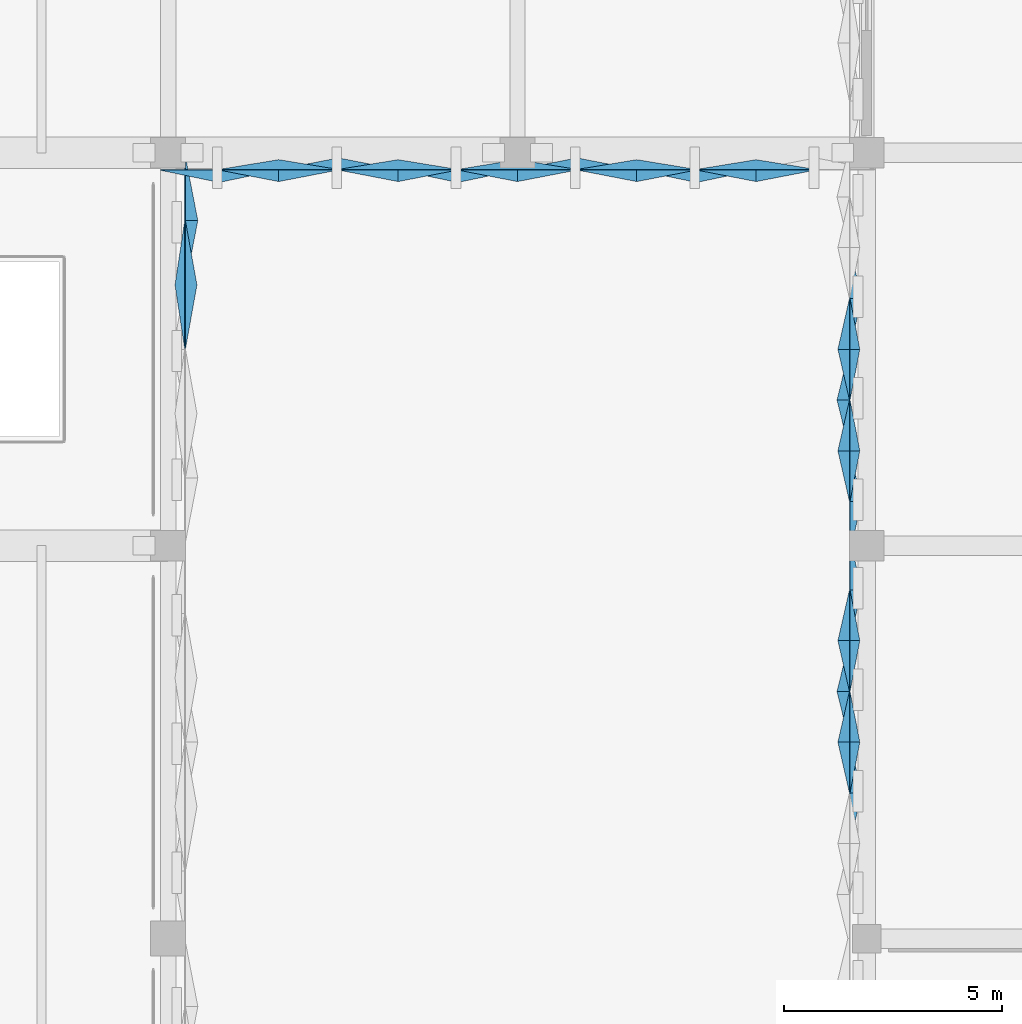
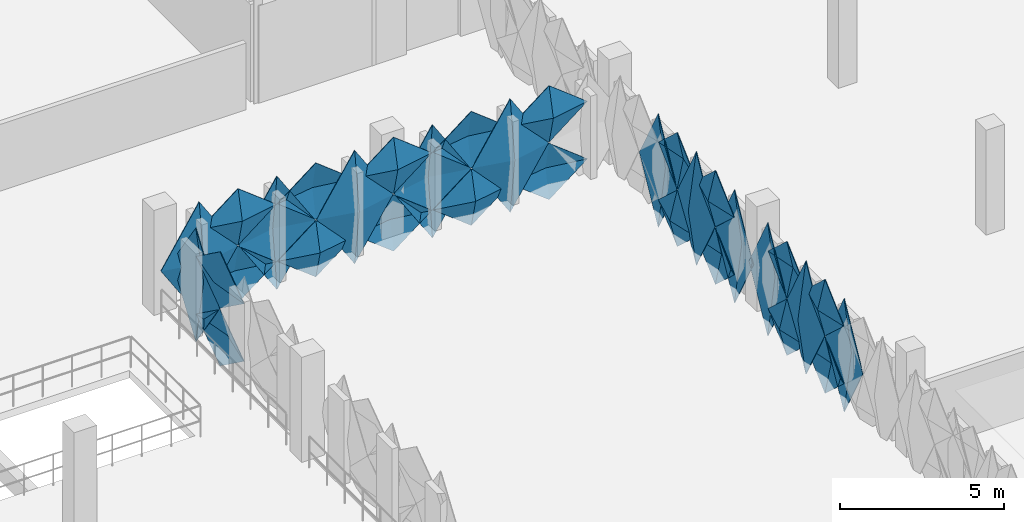
# One storey, part 75 of 96: 32 plates.
"""IFC4 building model written with IfcOpenShell, lengths in metres."""

from ifc_helpers import new_model, si_unit, derived_unit, direction, frame, origin, place, context, subcontext, project, spatial, polygons, material, layer, layer_set, type_object, element, save


model = new_model("IFC4")

# Units and contexts
model_context = context("Model", 3, precision=1e-05, world=origin(), true_north=direction((0.0, 1.0)))
body_context = subcontext(model_context, "Body", "Model", "MODEL_VIEW")
ifc_project = project(units=[si_unit("LENGTHUNIT", "METRE"), si_unit("AREAUNIT", "SQUARE_METRE"), si_unit("VOLUMEUNIT", "CUBIC_METRE"), si_unit("PLANEANGLEUNIT", "RADIAN"), si_unit("MASSUNIT", "GRAM", prefix="KILO"), si_unit("THERMODYNAMICTEMPERATUREUNIT", "KELVIN"), derived_unit("THERMALTRANSMITTANCEUNIT", [(si_unit("POWERUNIT", "WATT"), 1), (si_unit("AREAUNIT", "SQUARE_METRE"), -1), (si_unit("THERMODYNAMICTEMPERATUREUNIT", "KELVIN"), -1)])], contexts=[model_context])

# Site, building, storey
site_placement = place(None, origin())
site = spatial("IfcSite", under=ifc_project, at=site_placement, CompositionType="ELEMENT")
building_placement = place(site_placement, origin())
building = spatial("IfcBuilding", under=site, at=building_placement, Name="Haiyu Intermodal Mobility Hub", CompositionType="ELEMENT")
storey_placement = place(building_placement, frame((0.0, 0.0, 9.5)))
storey = spatial("IfcBuildingStorey", under=building, at=storey_placement, Name="L02", CompositionType="ELEMENT", Elevation=9.5)

# Plates
ifc_material = material(Name="Anodised aluminium 6063-T6", Category="aluminium")
ifc_layer_1 = layer(ifc_material, 0.01806640625)
ifc_layer_set_1 = layer_set([ifc_layer_1], Name="Anodised aluminium 6063-T6")
plate_type_1 = type_object("IfcPlateType", Name="PLT-FC01", PredefinedType="USERDEFINED", material=ifc_layer_set_1)
plate_1_placement = place(storey_placement, origin())
element("IfcPlate", 1, at=plate_1_placement, inside=storey, type_object=plate_type_1, Name="PLT-PYR-0683", ObjectType="FACADE CASSETTE", PredefinedType="USERDEFINED", context=body_context, shape_type="Tessellation", body=[
    polygons([(146.39990234375, 129.447021484375, -0.510009765625), (146.39990234375, 130.89990234375, 1.60009765625), (146.39990234375, 129.447021484375, 3.7099609375), (146.39990234375, 127.992919921875, 1.60009765625), (146.679931640625, 129.447021484375, 1.60009765625), (146.3779296875, 129.447021484375, -0.510009765625), (146.3779296875, 130.89990234375, 1.60009765625), (146.3779296875, 129.447021484375, 3.7099609375), (146.3779296875, 127.992919921875, 1.60009765625), (146.657958984375, 129.447021484375, 1.60009765625)], [[[1, 2, 5]], [[2, 3, 5]], [[3, 4, 5]], [[4, 1, 5]], [[7, 6, 10]], [[8, 7, 10]], [[9, 8, 10]], [[6, 9, 10]], [[1, 6, 7, 2]], [[2, 7, 8, 3]], [[3, 8, 9, 4]], [[4, 9, 6, 1]]], closed=True),
])
plate_2_placement = place(storey_placement, origin())
element("IfcPlate", 2, at=plate_2_placement, inside=storey, type_object=plate_type_1, Name="PLT-PYR-1934", ObjectType="FACADE CASSETTE", PredefinedType="USERDEFINED", context=body_context, shape_type="Tessellation", body=[
    polygons([(161.60009765625, 125.337890625, -0.510009765625), (161.60009765625, 124.195068359375, 1.60009765625), (161.60009765625, 125.337890625, 3.7099609375), (161.60009765625, 126.47998046875, 1.60009765625), (161.320068359375, 125.337890625, 1.60009765625), (161.6220703125, 125.337890625, -0.510009765625), (161.6220703125, 124.195068359375, 1.60009765625), (161.6220703125, 125.337890625, 3.7099609375), (161.6220703125, 126.47998046875, 1.60009765625), (161.342041015625, 125.337890625, 1.60009765625)], [[[1, 2, 5]], [[2, 3, 5]], [[3, 4, 5]], [[4, 1, 5]], [[7, 6, 10]], [[8, 7, 10]], [[9, 8, 10]], [[6, 9, 10]], [[1, 6, 7, 2]], [[2, 7, 8, 3]], [[3, 8, 9, 4]], [[4, 9, 6, 1]]], closed=True),
])
plate_3_placement = place(storey_placement, origin())
element("IfcPlate", 3, at=plate_3_placement, inside=storey, type_object=plate_type_1, Name="PLT-PYR-2345", ObjectType="FACADE CASSETTE", PredefinedType="USERDEFINED", context=body_context, shape_type="Tessellation", body=[
    polygons([(152.633056640625, 130.60009765625, -0.510009765625), (153.97998046875, 130.60009765625, 1.60009765625), (152.633056640625, 130.60009765625, 3.7099609375), (151.287109375, 130.60009765625, 1.60009765625), (152.633056640625, 130.320068359375, 1.60009765625), (152.633056640625, 130.6220703125, -0.510009765625), (153.97998046875, 130.6220703125, 1.60009765625), (152.633056640625, 130.6220703125, 3.7099609375), (151.287109375, 130.6220703125, 1.60009765625), (152.633056640625, 130.342041015625, 1.60009765625)], [[[1, 2, 5]], [[2, 3, 5]], [[3, 4, 5]], [[4, 1, 5]], [[7, 6, 10]], [[8, 7, 10]], [[9, 8, 10]], [[6, 9, 10]], [[1, 6, 7, 2]], [[2, 7, 8, 3]], [[3, 8, 9, 4]], [[4, 9, 6, 1]]], closed=True),
])
ifc_layer_2 = layer(ifc_material, 0.02001953125)
ifc_layer_set_2 = layer_set([ifc_layer_2], Name="Anodised aluminium 6063-T6")
plate_type_2 = type_object("IfcPlateType", Name="PLT-FC02", PredefinedType="USERDEFINED", material=ifc_layer_set_2)
plate_4_placement = place(storey_placement, origin())
element("IfcPlate", 4, at=plate_4_placement, inside=storey, type_object=plate_type_2, Name="PLT-PYR-1924", ObjectType="FACADE CASSETTE", PredefinedType="USERDEFINED", context=body_context, shape_type="Tessellation", body=[
    polygons([(161.60009765625, 116.337890625, -0.510009765625), (161.60009765625, 115.195068359375, 1.60009765625), (161.60009765625, 116.337890625, 3.7099609375), (161.60009765625, 117.47998046875, 1.60009765625), (161.860107421875, 116.337890625, 1.60009765625), (161.6220703125, 116.337890625, -0.510009765625), (161.6220703125, 115.195068359375, 1.60009765625), (161.6220703125, 116.337890625, 3.7099609375), (161.6220703125, 117.47998046875, 1.60009765625), (161.882080078125, 116.337890625, 1.60009765625)], [[[1, 2, 5]], [[2, 3, 5]], [[3, 4, 5]], [[4, 1, 5]], [[7, 6, 10]], [[8, 7, 10]], [[9, 8, 10]], [[6, 9, 10]], [[1, 6, 7, 2]], [[2, 7, 8, 3]], [[3, 8, 9, 4]], [[4, 9, 6, 1]]], closed=True),
])
ifc_layer_3 = layer(ifc_material, 0.02001953125)
ifc_layer_set_3 = layer_set([ifc_layer_3], Name="Anodised aluminium 6063-T6")
plate_type_3 = type_object("IfcPlateType", Name="PLT-FC04", PredefinedType="USERDEFINED", material=ifc_layer_set_3)
plate_5_placement = place(storey_placement, origin())
element("IfcPlate", 5, at=plate_5_placement, inside=storey, type_object=plate_type_3, Name="PLT-PYR-1937", ObjectType="FACADE CASSETTE", PredefinedType="USERDEFINED", context=body_context, shape_type="Tessellation", body=[
    polygons([(161.60009765625, 123.011962890625, -0.510009765625), (161.60009765625, 121.8701171875, 1.60009765625), (161.60009765625, 123.011962890625, 3.7099609375), (161.60009765625, 124.155029296875, 1.60009765625), (161.860107421875, 123.011962890625, 1.60009765625), (161.6220703125, 123.011962890625, -0.510009765625), (161.6220703125, 121.8701171875, 1.60009765625), (161.6220703125, 123.011962890625, 3.7099609375), (161.6220703125, 124.155029296875, 1.60009765625), (161.882080078125, 123.011962890625, 1.60009765625)], [[[1, 2, 5]], [[2, 3, 5]], [[3, 4, 5]], [[4, 1, 5]], [[7, 6, 10]], [[8, 7, 10]], [[9, 8, 10]], [[6, 9, 10]], [[1, 6, 7, 2]], [[2, 7, 8, 3]], [[3, 8, 9, 4]], [[4, 9, 6, 1]]], closed=True),
])
plate_6_placement = place(storey_placement, origin())
element("IfcPlate", 6, at=plate_6_placement, inside=storey, type_object=plate_type_3, Name="PLT-PYR-2348", ObjectType="FACADE CASSETTE", PredefinedType="USERDEFINED", context=body_context, shape_type="Tessellation", body=[
    polygons([(155.366943359375, 130.60009765625, -0.510009765625), (156.712890625, 130.60009765625, 1.60009765625), (155.366943359375, 130.60009765625, 3.7099609375), (154.02001953125, 130.60009765625, 1.60009765625), (155.366943359375, 130.860107421875, 1.60009765625), (155.366943359375, 130.6220703125, -0.510009765625), (156.712890625, 130.6220703125, 1.60009765625), (155.366943359375, 130.6220703125, 3.7099609375), (154.02001953125, 130.6220703125, 1.60009765625), (155.366943359375, 130.882080078125, 1.60009765625)], [[[1, 2, 5]], [[2, 3, 5]], [[3, 4, 5]], [[4, 1, 5]], [[7, 6, 10]], [[8, 7, 10]], [[9, 8, 10]], [[6, 9, 10]], [[1, 6, 7, 2]], [[2, 7, 8, 3]], [[3, 8, 9, 4]], [[4, 9, 6, 1]]], closed=True),
])
ifc_layer_4 = layer(ifc_material, 0.01806640625)
ifc_layer_set_4 = layer_set([ifc_layer_4], Name="Anodised aluminium 6063-T6")
plate_type_4 = type_object("IfcPlateType", Name="PLT-FC05", PredefinedType="USERDEFINED", material=ifc_layer_set_4)
plate_7_placement = place(storey_placement, origin())
element("IfcPlate", 7, at=plate_7_placement, inside=storey, type_object=plate_type_4, Name="PLT-PYR-0681", ObjectType="FACADE CASSETTE", PredefinedType="USERDEFINED", context=body_context, shape_type="Tessellation", body=[
    polygons([(146.39990234375, 127.972900390625, -0.52001953125), (146.39990234375, 129.427001953125, 0.530029296875), (146.39990234375, 127.972900390625, 1.580078125), (146.39990234375, 126.52001953125, 0.530029296875), (146.659912109375, 127.972900390625, 0.530029296875), (146.3779296875, 127.972900390625, -0.52001953125), (146.3779296875, 129.427001953125, 0.530029296875), (146.3779296875, 127.972900390625, 1.580078125), (146.3779296875, 126.52001953125, 0.530029296875), (146.637939453125, 127.972900390625, 0.530029296875)], [[[1, 2, 5]], [[2, 3, 5]], [[3, 4, 5]], [[4, 1, 5]], [[7, 6, 10]], [[8, 7, 10]], [[9, 8, 10]], [[6, 9, 10]], [[1, 6, 7, 2]], [[2, 7, 8, 3]], [[3, 8, 9, 4]], [[4, 9, 6, 1]]], closed=True),
])
plate_8_placement = place(storey_placement, origin())
element("IfcPlate", 8, at=plate_8_placement, inside=storey, type_object=plate_type_4, Name="PLT-PYR-1919", ObjectType="FACADE CASSETTE", PredefinedType="USERDEFINED", context=body_context, shape_type="Tessellation", body=[
    polygons([(161.60009765625, 119.824951171875, -0.52001953125), (161.60009765625, 118.681884765625, 0.530029296875), (161.60009765625, 119.824951171875, 1.580078125), (161.60009765625, 120.968017578125, 0.530029296875), (161.340087890625, 119.824951171875, 0.530029296875), (161.6220703125, 119.824951171875, -0.52001953125), (161.6220703125, 118.681884765625, 0.530029296875), (161.6220703125, 119.824951171875, 1.580078125), (161.6220703125, 120.968017578125, 0.530029296875), (161.362060546875, 119.824951171875, 0.530029296875)], [[[1, 2, 5]], [[2, 3, 5]], [[3, 4, 5]], [[4, 1, 5]], [[7, 6, 10]], [[8, 7, 10]], [[9, 8, 10]], [[6, 9, 10]], [[1, 6, 7, 2]], [[2, 7, 8, 3]], [[3, 8, 9, 4]], [[4, 9, 6, 1]]], closed=True),
])
plate_9_placement = place(storey_placement, origin())
element("IfcPlate", 9, at=plate_9_placement, inside=storey, type_object=plate_type_4, Name="PLT-PYR-1932", ObjectType="FACADE CASSETTE", PredefinedType="USERDEFINED", context=body_context, shape_type="Tessellation", body=[
    polygons([(161.60009765625, 126.5, -0.52001953125), (161.60009765625, 125.35791015625, 0.530029296875), (161.60009765625, 126.5, 1.580078125), (161.60009765625, 127.64306640625, 0.530029296875), (161.340087890625, 126.5, 0.530029296875), (161.6220703125, 126.5, -0.52001953125), (161.6220703125, 125.35791015625, 0.530029296875), (161.6220703125, 126.5, 1.580078125), (161.6220703125, 127.64306640625, 0.530029296875), (161.362060546875, 126.5, 0.530029296875)], [[[1, 2, 5]], [[2, 3, 5]], [[3, 4, 5]], [[4, 1, 5]], [[7, 6, 10]], [[8, 7, 10]], [[9, 8, 10]], [[6, 9, 10]], [[1, 6, 7, 2]], [[2, 7, 8, 3]], [[3, 8, 9, 4]], [[4, 9, 6, 1]]], closed=True),
])
plate_10_placement = place(storey_placement, origin())
element("IfcPlate", 10, at=plate_10_placement, inside=storey, type_object=plate_type_4, Name="PLT-PYR-2339", ObjectType="FACADE CASSETTE", PredefinedType="USERDEFINED", context=body_context, shape_type="Tessellation", body=[
    polygons([(147.1669921875, 130.60009765625, -0.510009765625), (148.512939453125, 130.60009765625, 1.60009765625), (147.1669921875, 130.60009765625, 3.7099609375), (145.820068359375, 130.60009765625, 1.60009765625), (147.1669921875, 130.320068359375, 1.60009765625), (147.1669921875, 130.6220703125, -0.510009765625), (148.512939453125, 130.6220703125, 1.60009765625), (147.1669921875, 130.6220703125, 3.7099609375), (145.820068359375, 130.6220703125, 1.60009765625), (147.1669921875, 130.342041015625, 1.60009765625)], [[[1, 2, 5]], [[2, 3, 5]], [[3, 4, 5]], [[4, 1, 5]], [[7, 6, 10]], [[8, 7, 10]], [[9, 8, 10]], [[6, 9, 10]], [[1, 6, 7, 2]], [[2, 7, 8, 3]], [[3, 8, 9, 4]], [[4, 9, 6, 1]]], closed=True),
])
plate_11_placement = place(storey_placement, origin())
element("IfcPlate", 11, at=plate_11_placement, inside=storey, type_object=plate_type_4, Name="PLT-PYR-2343", ObjectType="FACADE CASSETTE", PredefinedType="USERDEFINED", context=body_context, shape_type="Tessellation", body=[
    polygons([(151.26708984375, 130.60009765625, -0.52001953125), (152.613037109375, 130.60009765625, 0.530029296875), (151.26708984375, 130.60009765625, 1.580078125), (149.919921875, 130.60009765625, 0.530029296875), (151.26708984375, 130.340087890625, 0.530029296875), (151.26708984375, 130.6220703125, -0.52001953125), (152.613037109375, 130.6220703125, 0.530029296875), (151.26708984375, 130.6220703125, 1.580078125), (149.919921875, 130.6220703125, 0.530029296875), (151.26708984375, 130.362060546875, 0.530029296875)], [[[1, 2, 5]], [[2, 3, 5]], [[3, 4, 5]], [[4, 1, 5]], [[7, 6, 10]], [[8, 7, 10]], [[9, 8, 10]], [[6, 9, 10]], [[1, 6, 7, 2]], [[2, 7, 8, 3]], [[3, 8, 9, 4]], [[4, 9, 6, 1]]], closed=True),
])
plate_12_placement = place(storey_placement, origin())
element("IfcPlate", 12, at=plate_12_placement, inside=storey, type_object=plate_type_4, Name="PLT-PYR-2349", ObjectType="FACADE CASSETTE", PredefinedType="USERDEFINED", context=body_context, shape_type="Tessellation", body=[
    polygons([(156.73291015625, 130.60009765625, -0.52001953125), (158.080078125, 130.60009765625, 0.530029296875), (156.73291015625, 130.60009765625, 1.580078125), (155.386962890625, 130.60009765625, 0.530029296875), (156.73291015625, 130.340087890625, 0.530029296875), (156.73291015625, 130.6220703125, -0.52001953125), (158.080078125, 130.6220703125, 0.530029296875), (156.73291015625, 130.6220703125, 1.580078125), (155.386962890625, 130.6220703125, 0.530029296875), (156.73291015625, 130.362060546875, 0.530029296875)], [[[1, 2, 5]], [[2, 3, 5]], [[3, 4, 5]], [[4, 1, 5]], [[7, 6, 10]], [[8, 7, 10]], [[9, 8, 10]], [[6, 9, 10]], [[1, 6, 7, 2]], [[2, 7, 8, 3]], [[3, 8, 9, 4]], [[4, 9, 6, 1]]], closed=True),
])
plate_13_placement = place(storey_placement, origin())
element("IfcPlate", 13, at=plate_13_placement, inside=storey, type_object=plate_type_4, Name="PLT-PYR-2351", ObjectType="FACADE CASSETTE", PredefinedType="USERDEFINED", context=body_context, shape_type="Tessellation", body=[
    polygons([(158.10009765625, 130.60009765625, -0.510009765625), (159.447021484375, 130.60009765625, 1.60009765625), (158.10009765625, 130.60009765625, 3.7099609375), (156.7529296875, 130.60009765625, 1.60009765625), (158.10009765625, 130.320068359375, 1.60009765625), (158.10009765625, 130.6220703125, -0.510009765625), (159.447021484375, 130.6220703125, 1.60009765625), (158.10009765625, 130.6220703125, 3.7099609375), (156.7529296875, 130.6220703125, 1.60009765625), (158.10009765625, 130.342041015625, 1.60009765625)], [[[1, 2, 5]], [[2, 3, 5]], [[3, 4, 5]], [[4, 1, 5]], [[7, 6, 10]], [[8, 7, 10]], [[9, 8, 10]], [[6, 9, 10]], [[1, 6, 7, 2]], [[2, 7, 8, 3]], [[3, 8, 9, 4]], [[4, 9, 6, 1]]], closed=True),
])
ifc_layer_5 = layer(ifc_material, 0.02001953125)
ifc_layer_set_5 = layer_set([ifc_layer_5], Name="Anodised aluminium 6063-T6")
plate_type_5 = type_object("IfcPlateType", Name="PLT-FC06", PredefinedType="USERDEFINED", material=ifc_layer_set_5)
plate_14_placement = place(storey_placement, origin())
element("IfcPlate", 14, at=plate_14_placement, inside=storey, type_object=plate_type_5, Name="PLT-PYR-1918", ObjectType="FACADE CASSETTE", PredefinedType="USERDEFINED", context=body_context, shape_type="Tessellation", body=[
    polygons([(161.60009765625, 120.988037109375, -0.510009765625), (161.60009765625, 119.844970703125, 1.60009765625), (161.60009765625, 120.988037109375, 3.7099609375), (161.60009765625, 122.1298828125, 1.60009765625), (161.860107421875, 120.988037109375, 1.60009765625), (161.6220703125, 120.988037109375, -0.510009765625), (161.6220703125, 119.844970703125, 1.60009765625), (161.6220703125, 120.988037109375, 3.7099609375), (161.6220703125, 122.1298828125, 1.60009765625), (161.882080078125, 120.988037109375, 1.60009765625)], [[[1, 2, 5]], [[2, 3, 5]], [[3, 4, 5]], [[4, 1, 5]], [[7, 6, 10]], [[8, 7, 10]], [[9, 8, 10]], [[6, 9, 10]], [[1, 6, 7, 2]], [[2, 7, 8, 3]], [[3, 8, 9, 4]], [[4, 9, 6, 1]]], closed=True),
])
plate_15_placement = place(storey_placement, origin())
element("IfcPlate", 15, at=plate_15_placement, inside=storey, type_object=plate_type_5, Name="PLT-PYR-1922", ObjectType="FACADE CASSETTE", PredefinedType="USERDEFINED", context=body_context, shape_type="Tessellation", body=[
    polygons([(161.60009765625, 117.5, -0.52001953125), (161.60009765625, 116.35791015625, 0.530029296875), (161.60009765625, 117.5, 1.580078125), (161.60009765625, 118.64306640625, 0.530029296875), (161.820068359375, 117.5, 0.530029296875), (161.6220703125, 117.5, -0.52001953125), (161.6220703125, 116.35791015625, 0.530029296875), (161.6220703125, 117.5, 1.580078125), (161.6220703125, 118.64306640625, 0.530029296875), (161.842041015625, 117.5, 0.530029296875)], [[[1, 2, 5]], [[2, 3, 5]], [[3, 4, 5]], [[4, 1, 5]], [[7, 6, 10]], [[8, 7, 10]], [[9, 8, 10]], [[6, 9, 10]], [[1, 6, 7, 2]], [[2, 7, 8, 3]], [[3, 8, 9, 4]], [[4, 9, 6, 1]]], closed=True),
])
plate_16_placement = place(storey_placement, origin())
element("IfcPlate", 16, at=plate_16_placement, inside=storey, type_object=plate_type_5, Name="PLT-PYR-1935", ObjectType="FACADE CASSETTE", PredefinedType="USERDEFINED", context=body_context, shape_type="Tessellation", body=[
    polygons([(161.60009765625, 124.175048828125, -0.52001953125), (161.60009765625, 123.031982421875, 0.530029296875), (161.60009765625, 124.175048828125, 1.580078125), (161.60009765625, 125.318115234375, 0.530029296875), (161.820068359375, 124.175048828125, 0.530029296875), (161.6220703125, 124.175048828125, -0.52001953125), (161.6220703125, 123.031982421875, 0.530029296875), (161.6220703125, 124.175048828125, 1.580078125), (161.6220703125, 125.318115234375, 0.530029296875), (161.842041015625, 124.175048828125, 0.530029296875)], [[[1, 2, 5]], [[2, 3, 5]], [[3, 4, 5]], [[4, 1, 5]], [[7, 6, 10]], [[8, 7, 10]], [[9, 8, 10]], [[6, 9, 10]], [[1, 6, 7, 2]], [[2, 7, 8, 3]], [[3, 8, 9, 4]], [[4, 9, 6, 1]]], closed=True),
])
plate_17_placement = place(storey_placement, origin())
element("IfcPlate", 17, at=plate_17_placement, inside=storey, type_object=plate_type_5, Name="PLT-PYR-2340", ObjectType="FACADE CASSETTE", PredefinedType="USERDEFINED", context=body_context, shape_type="Tessellation", body=[
    polygons([(148.532958984375, 130.60009765625, -0.52001953125), (149.8798828125, 130.60009765625, 0.530029296875), (148.532958984375, 130.60009765625, 1.580078125), (147.18701171875, 130.60009765625, 0.530029296875), (148.532958984375, 130.820068359375, 0.530029296875), (148.532958984375, 130.6220703125, -0.52001953125), (149.8798828125, 130.6220703125, 0.530029296875), (148.532958984375, 130.6220703125, 1.580078125), (147.18701171875, 130.6220703125, 0.530029296875), (148.532958984375, 130.842041015625, 0.530029296875)], [[[1, 2, 5]], [[2, 3, 5]], [[3, 4, 5]], [[4, 1, 5]], [[7, 6, 10]], [[8, 7, 10]], [[9, 8, 10]], [[6, 9, 10]], [[1, 6, 7, 2]], [[2, 7, 8, 3]], [[3, 8, 9, 4]], [[4, 9, 6, 1]]], closed=True),
])
plate_18_placement = place(storey_placement, origin())
element("IfcPlate", 18, at=plate_18_placement, inside=storey, type_object=plate_type_5, Name="PLT-PYR-2346", ObjectType="FACADE CASSETTE", PredefinedType="USERDEFINED", context=body_context, shape_type="Tessellation", body=[
    polygons([(154.0, 130.60009765625, -0.52001953125), (155.346923828125, 130.60009765625, 0.530029296875), (154.0, 130.60009765625, 1.580078125), (152.653076171875, 130.60009765625, 0.530029296875), (154.0, 130.820068359375, 0.530029296875), (154.0, 130.6220703125, -0.52001953125), (155.346923828125, 130.6220703125, 0.530029296875), (154.0, 130.6220703125, 1.580078125), (152.653076171875, 130.6220703125, 0.530029296875), (154.0, 130.842041015625, 0.530029296875)], [[[1, 2, 5]], [[2, 3, 5]], [[3, 4, 5]], [[4, 1, 5]], [[7, 6, 10]], [[8, 7, 10]], [[9, 8, 10]], [[6, 9, 10]], [[1, 6, 7, 2]], [[2, 7, 8, 3]], [[3, 8, 9, 4]], [[4, 9, 6, 1]]], closed=True),
])
plate_19_placement = place(storey_placement, origin())
element("IfcPlate", 19, at=plate_19_placement, inside=storey, type_object=plate_type_5, Name="PLT-PYR-2352", ObjectType="FACADE CASSETTE", PredefinedType="USERDEFINED", context=body_context, shape_type="Tessellation", body=[
    polygons([(159.467041015625, 130.60009765625, -0.52001953125), (160.81298828125, 130.60009765625, 0.530029296875), (159.467041015625, 130.60009765625, 1.580078125), (158.1201171875, 130.60009765625, 0.530029296875), (159.467041015625, 130.820068359375, 0.530029296875), (159.467041015625, 130.6220703125, -0.52001953125), (160.81298828125, 130.6220703125, 0.530029296875), (159.467041015625, 130.6220703125, 1.580078125), (158.1201171875, 130.6220703125, 0.530029296875), (159.467041015625, 130.842041015625, 0.530029296875)], [[[1, 2, 5]], [[2, 3, 5]], [[3, 4, 5]], [[4, 1, 5]], [[7, 6, 10]], [[8, 7, 10]], [[9, 8, 10]], [[6, 9, 10]], [[1, 6, 7, 2]], [[2, 7, 8, 3]], [[3, 8, 9, 4]], [[4, 9, 6, 1]]], closed=True),
])
ifc_layer_6 = layer(ifc_material, 0.02197265625)
ifc_layer_set_6 = layer_set([ifc_layer_6], Name="Anodised aluminium 6063-T6")
plate_type_6 = type_object("IfcPlateType", Name="PLT-FC07", PredefinedType="USERDEFINED", material=ifc_layer_set_6)
plate_20_placement = place(storey_placement, origin())
element("IfcPlate", 20, at=plate_20_placement, inside=storey, type_object=plate_type_6, Name="PLT-PYR-1921", ObjectType="FACADE CASSETTE", PredefinedType="USERDEFINED", context=body_context, shape_type="Tessellation", body=[
    polygons([(161.60009765625, 118.6630859375, -0.510009765625), (161.60009765625, 117.52001953125, 1.60009765625), (161.60009765625, 118.6630859375, 3.7099609375), (161.60009765625, 119.804931640625, 1.60009765625), (161.320068359375, 118.6630859375, 1.60009765625), (161.6220703125, 118.6630859375, -0.510009765625), (161.6220703125, 117.52001953125, 1.60009765625), (161.6220703125, 118.6630859375, 3.7099609375), (161.6220703125, 119.804931640625, 1.60009765625), (161.342041015625, 118.6630859375, 1.60009765625)], [[[1, 2, 5]], [[2, 3, 5]], [[3, 4, 5]], [[4, 1, 5]], [[7, 6, 10]], [[8, 7, 10]], [[9, 8, 10]], [[6, 9, 10]], [[1, 6, 7, 2]], [[2, 7, 8, 3]], [[3, 8, 9, 4]], [[4, 9, 6, 1]]], closed=True),
])
plate_21_placement = place(storey_placement, origin())
element("IfcPlate", 21, at=plate_21_placement, inside=storey, type_object=plate_type_6, Name="PLT-PYR-1923", ObjectType="FACADE CASSETTE", PredefinedType="USERDEFINED", context=body_context, shape_type="Tessellation", body=[
    polygons([(161.60009765625, 117.5, 1.6201171875), (161.60009765625, 116.35791015625, 2.669921875), (161.60009765625, 117.5, 3.719970703125), (161.60009765625, 118.64306640625, 2.669921875), (161.340087890625, 117.5, 2.669921875), (161.6220703125, 117.5, 1.6201171875), (161.6220703125, 116.35791015625, 2.669921875), (161.6220703125, 117.5, 3.719970703125), (161.6220703125, 118.64306640625, 2.669921875), (161.362060546875, 117.5, 2.669921875)], [[[1, 2, 5]], [[2, 3, 5]], [[3, 4, 5]], [[4, 1, 5]], [[7, 6, 10]], [[8, 7, 10]], [[9, 8, 10]], [[6, 9, 10]], [[1, 6, 7, 2]], [[2, 7, 8, 3]], [[3, 8, 9, 4]], [[4, 9, 6, 1]]], closed=True),
])
plate_22_placement = place(storey_placement, origin())
element("IfcPlate", 22, at=plate_22_placement, inside=storey, type_object=plate_type_6, Name="PLT-PYR-1936", ObjectType="FACADE CASSETTE", PredefinedType="USERDEFINED", context=body_context, shape_type="Tessellation", body=[
    polygons([(161.60009765625, 124.175048828125, 1.6201171875), (161.60009765625, 123.031982421875, 2.669921875), (161.60009765625, 124.175048828125, 3.719970703125), (161.60009765625, 125.318115234375, 2.669921875), (161.340087890625, 124.175048828125, 2.669921875), (161.6220703125, 124.175048828125, 1.6201171875), (161.6220703125, 123.031982421875, 2.669921875), (161.6220703125, 124.175048828125, 3.719970703125), (161.6220703125, 125.318115234375, 2.669921875), (161.362060546875, 124.175048828125, 2.669921875)], [[[1, 2, 5]], [[2, 3, 5]], [[3, 4, 5]], [[4, 1, 5]], [[7, 6, 10]], [[8, 7, 10]], [[9, 8, 10]], [[6, 9, 10]], [[1, 6, 7, 2]], [[2, 7, 8, 3]], [[3, 8, 9, 4]], [[4, 9, 6, 1]]], closed=True),
])
plate_23_placement = place(storey_placement, origin())
element("IfcPlate", 23, at=plate_23_placement, inside=storey, type_object=plate_type_6, Name="PLT-PYR-2341", ObjectType="FACADE CASSETTE", PredefinedType="USERDEFINED", context=body_context, shape_type="Tessellation", body=[
    polygons([(148.532958984375, 130.60009765625, 1.6201171875), (149.8798828125, 130.60009765625, 2.669921875), (148.532958984375, 130.60009765625, 3.719970703125), (147.18701171875, 130.60009765625, 2.669921875), (148.532958984375, 130.340087890625, 2.669921875), (148.532958984375, 130.6220703125, 1.6201171875), (149.8798828125, 130.6220703125, 2.669921875), (148.532958984375, 130.6220703125, 3.719970703125), (147.18701171875, 130.6220703125, 2.669921875), (148.532958984375, 130.362060546875, 2.669921875)], [[[1, 2, 5]], [[2, 3, 5]], [[3, 4, 5]], [[4, 1, 5]], [[7, 6, 10]], [[8, 7, 10]], [[9, 8, 10]], [[6, 9, 10]], [[1, 6, 7, 2]], [[2, 7, 8, 3]], [[3, 8, 9, 4]], [[4, 9, 6, 1]]], closed=True),
])
plate_24_placement = place(storey_placement, origin())
element("IfcPlate", 24, at=plate_24_placement, inside=storey, type_object=plate_type_6, Name="PLT-PYR-2347", ObjectType="FACADE CASSETTE", PredefinedType="USERDEFINED", context=body_context, shape_type="Tessellation", body=[
    polygons([(154.0, 130.60009765625, 1.6201171875), (155.346923828125, 130.60009765625, 2.669921875), (154.0, 130.60009765625, 3.719970703125), (152.653076171875, 130.60009765625, 2.669921875), (154.0, 130.340087890625, 2.669921875), (154.0, 130.6220703125, 1.6201171875), (155.346923828125, 130.6220703125, 2.669921875), (154.0, 130.6220703125, 3.719970703125), (152.653076171875, 130.6220703125, 2.669921875), (154.0, 130.362060546875, 2.669921875)], [[[1, 2, 5]], [[2, 3, 5]], [[3, 4, 5]], [[4, 1, 5]], [[7, 6, 10]], [[8, 7, 10]], [[9, 8, 10]], [[6, 9, 10]], [[1, 6, 7, 2]], [[2, 7, 8, 3]], [[3, 8, 9, 4]], [[4, 9, 6, 1]]], closed=True),
])
plate_25_placement = place(storey_placement, origin())
element("IfcPlate", 25, at=plate_25_placement, inside=storey, type_object=plate_type_6, Name="PLT-PYR-2353", ObjectType="FACADE CASSETTE", PredefinedType="USERDEFINED", context=body_context, shape_type="Tessellation", body=[
    polygons([(159.467041015625, 130.60009765625, 1.6201171875), (160.81298828125, 130.60009765625, 2.669921875), (159.467041015625, 130.60009765625, 3.719970703125), (158.1201171875, 130.60009765625, 2.669921875), (159.467041015625, 130.340087890625, 2.669921875), (159.467041015625, 130.6220703125, 1.6201171875), (160.81298828125, 130.6220703125, 2.669921875), (159.467041015625, 130.6220703125, 3.719970703125), (158.1201171875, 130.6220703125, 2.669921875), (159.467041015625, 130.362060546875, 2.669921875)], [[[1, 2, 5]], [[2, 3, 5]], [[3, 4, 5]], [[4, 1, 5]], [[7, 6, 10]], [[8, 7, 10]], [[9, 8, 10]], [[6, 9, 10]], [[1, 6, 7, 2]], [[2, 7, 8, 3]], [[3, 8, 9, 4]], [[4, 9, 6, 1]]], closed=True),
])
ifc_layer_7 = layer(ifc_material, 0.02392578125)
ifc_layer_set_7 = layer_set([ifc_layer_7], Name="Anodised aluminium 6063-T6")
plate_type_7 = type_object("IfcPlateType", Name="PLT-FC08", PredefinedType="USERDEFINED", material=ifc_layer_set_7)
plate_26_placement = place(storey_placement, origin())
element("IfcPlate", 26, at=plate_26_placement, inside=storey, type_object=plate_type_7, Name="PLT-PYR-0682", ObjectType="FACADE CASSETTE", PredefinedType="USERDEFINED", context=body_context, shape_type="Tessellation", body=[
    polygons([(146.39990234375, 127.972900390625, 1.6201171875), (146.39990234375, 129.427001953125, 2.669921875), (146.39990234375, 127.972900390625, 3.719970703125), (146.39990234375, 126.52001953125, 2.669921875), (146.179931640625, 127.972900390625, 2.669921875), (146.3779296875, 127.972900390625, 1.6201171875), (146.3779296875, 129.427001953125, 2.669921875), (146.3779296875, 127.972900390625, 3.719970703125), (146.3779296875, 126.52001953125, 2.669921875), (146.157958984375, 127.972900390625, 2.669921875)], [[[1, 2, 5]], [[2, 3, 5]], [[3, 4, 5]], [[4, 1, 5]], [[7, 6, 10]], [[8, 7, 10]], [[9, 8, 10]], [[6, 9, 10]], [[1, 6, 7, 2]], [[2, 7, 8, 3]], [[3, 8, 9, 4]], [[4, 9, 6, 1]]], closed=True),
])
plate_27_placement = place(storey_placement, origin())
element("IfcPlate", 27, at=plate_27_placement, inside=storey, type_object=plate_type_7, Name="PLT-PYR-1920", ObjectType="FACADE CASSETTE", PredefinedType="USERDEFINED", context=body_context, shape_type="Tessellation", body=[
    polygons([(161.60009765625, 119.824951171875, 1.6201171875), (161.60009765625, 118.681884765625, 2.669921875), (161.60009765625, 119.824951171875, 3.719970703125), (161.60009765625, 120.968017578125, 2.669921875), (161.820068359375, 119.824951171875, 2.669921875), (161.6220703125, 119.824951171875, 1.6201171875), (161.6220703125, 118.681884765625, 2.669921875), (161.6220703125, 119.824951171875, 3.719970703125), (161.6220703125, 120.968017578125, 2.669921875), (161.842041015625, 119.824951171875, 2.669921875)], [[[1, 2, 5]], [[2, 3, 5]], [[3, 4, 5]], [[4, 1, 5]], [[7, 6, 10]], [[8, 7, 10]], [[9, 8, 10]], [[6, 9, 10]], [[1, 6, 7, 2]], [[2, 7, 8, 3]], [[3, 8, 9, 4]], [[4, 9, 6, 1]]], closed=True),
])
plate_28_placement = place(storey_placement, origin())
element("IfcPlate", 28, at=plate_28_placement, inside=storey, type_object=plate_type_7, Name="PLT-PYR-1931", ObjectType="FACADE CASSETTE", PredefinedType="USERDEFINED", context=body_context, shape_type="Tessellation", body=[
    polygons([(161.60009765625, 127.6630859375, -0.510009765625), (161.60009765625, 126.52001953125, 1.60009765625), (161.60009765625, 127.6630859375, 3.7099609375), (161.60009765625, 128.804931640625, 1.60009765625), (161.860107421875, 127.6630859375, 1.60009765625), (161.6220703125, 127.6630859375, -0.510009765625), (161.6220703125, 126.52001953125, 1.60009765625), (161.6220703125, 127.6630859375, 3.7099609375), (161.6220703125, 128.804931640625, 1.60009765625), (161.882080078125, 127.6630859375, 1.60009765625)], [[[1, 2, 5]], [[2, 3, 5]], [[3, 4, 5]], [[4, 1, 5]], [[7, 6, 10]], [[8, 7, 10]], [[9, 8, 10]], [[6, 9, 10]], [[1, 6, 7, 2]], [[2, 7, 8, 3]], [[3, 8, 9, 4]], [[4, 9, 6, 1]]], closed=True),
])
plate_29_placement = place(storey_placement, origin())
element("IfcPlate", 29, at=plate_29_placement, inside=storey, type_object=plate_type_7, Name="PLT-PYR-1933", ObjectType="FACADE CASSETTE", PredefinedType="USERDEFINED", context=body_context, shape_type="Tessellation", body=[
    polygons([(161.60009765625, 126.5, 1.6201171875), (161.60009765625, 125.35791015625, 2.669921875), (161.60009765625, 126.5, 3.719970703125), (161.60009765625, 127.64306640625, 2.669921875), (161.820068359375, 126.5, 2.669921875), (161.6220703125, 126.5, 1.6201171875), (161.6220703125, 125.35791015625, 2.669921875), (161.6220703125, 126.5, 3.719970703125), (161.6220703125, 127.64306640625, 2.669921875), (161.842041015625, 126.5, 2.669921875)], [[[1, 2, 5]], [[2, 3, 5]], [[3, 4, 5]], [[4, 1, 5]], [[7, 6, 10]], [[8, 7, 10]], [[9, 8, 10]], [[6, 9, 10]], [[1, 6, 7, 2]], [[2, 7, 8, 3]], [[3, 8, 9, 4]], [[4, 9, 6, 1]]], closed=True),
])
plate_30_placement = place(storey_placement, origin())
element("IfcPlate", 30, at=plate_30_placement, inside=storey, type_object=plate_type_7, Name="PLT-PYR-2342", ObjectType="FACADE CASSETTE", PredefinedType="USERDEFINED", context=body_context, shape_type="Tessellation", body=[
    polygons([(149.89990234375, 130.60009765625, -0.510009765625), (151.2470703125, 130.60009765625, 1.60009765625), (149.89990234375, 130.60009765625, 3.7099609375), (148.552978515625, 130.60009765625, 1.60009765625), (149.89990234375, 130.860107421875, 1.60009765625), (149.89990234375, 130.6220703125, -0.510009765625), (151.2470703125, 130.6220703125, 1.60009765625), (149.89990234375, 130.6220703125, 3.7099609375), (148.552978515625, 130.6220703125, 1.60009765625), (149.89990234375, 130.882080078125, 1.60009765625)], [[[1, 2, 5]], [[2, 3, 5]], [[3, 4, 5]], [[4, 1, 5]], [[7, 6, 10]], [[8, 7, 10]], [[9, 8, 10]], [[6, 9, 10]], [[1, 6, 7, 2]], [[2, 7, 8, 3]], [[3, 8, 9, 4]], [[4, 9, 6, 1]]], closed=True),
])
plate_31_placement = place(storey_placement, origin())
element("IfcPlate", 31, at=plate_31_placement, inside=storey, type_object=plate_type_7, Name="PLT-PYR-2344", ObjectType="FACADE CASSETTE", PredefinedType="USERDEFINED", context=body_context, shape_type="Tessellation", body=[
    polygons([(151.26708984375, 130.60009765625, 1.6201171875), (152.613037109375, 130.60009765625, 2.669921875), (151.26708984375, 130.60009765625, 3.719970703125), (149.919921875, 130.60009765625, 2.669921875), (151.26708984375, 130.820068359375, 2.669921875), (151.26708984375, 130.6220703125, 1.6201171875), (152.613037109375, 130.6220703125, 2.669921875), (151.26708984375, 130.6220703125, 3.719970703125), (149.919921875, 130.6220703125, 2.669921875), (151.26708984375, 130.842041015625, 2.669921875)], [[[1, 2, 5]], [[2, 3, 5]], [[3, 4, 5]], [[4, 1, 5]], [[7, 6, 10]], [[8, 7, 10]], [[9, 8, 10]], [[6, 9, 10]], [[1, 6, 7, 2]], [[2, 7, 8, 3]], [[3, 8, 9, 4]], [[4, 9, 6, 1]]], closed=True),
])
plate_32_placement = place(storey_placement, origin())
element("IfcPlate", 32, at=plate_32_placement, inside=storey, type_object=plate_type_7, Name="PLT-PYR-2350", ObjectType="FACADE CASSETTE", PredefinedType="USERDEFINED", context=body_context, shape_type="Tessellation", body=[
    polygons([(156.73291015625, 130.60009765625, 1.6201171875), (158.080078125, 130.60009765625, 2.669921875), (156.73291015625, 130.60009765625, 3.719970703125), (155.386962890625, 130.60009765625, 2.669921875), (156.73291015625, 130.820068359375, 2.669921875), (156.73291015625, 130.6220703125, 1.6201171875), (158.080078125, 130.6220703125, 2.669921875), (156.73291015625, 130.6220703125, 3.719970703125), (155.386962890625, 130.6220703125, 2.669921875), (156.73291015625, 130.842041015625, 2.669921875)], [[[1, 2, 5]], [[2, 3, 5]], [[3, 4, 5]], [[4, 1, 5]], [[7, 6, 10]], [[8, 7, 10]], [[9, 8, 10]], [[6, 9, 10]], [[1, 6, 7, 2]], [[2, 7, 8, 3]], [[3, 8, 9, 4]], [[4, 9, 6, 1]]], closed=True),
])

save(model, "model.ifc")
